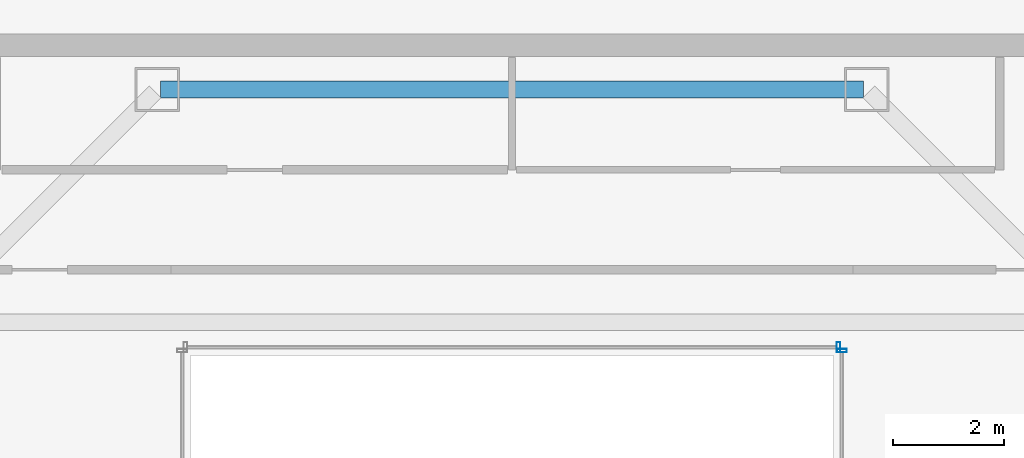
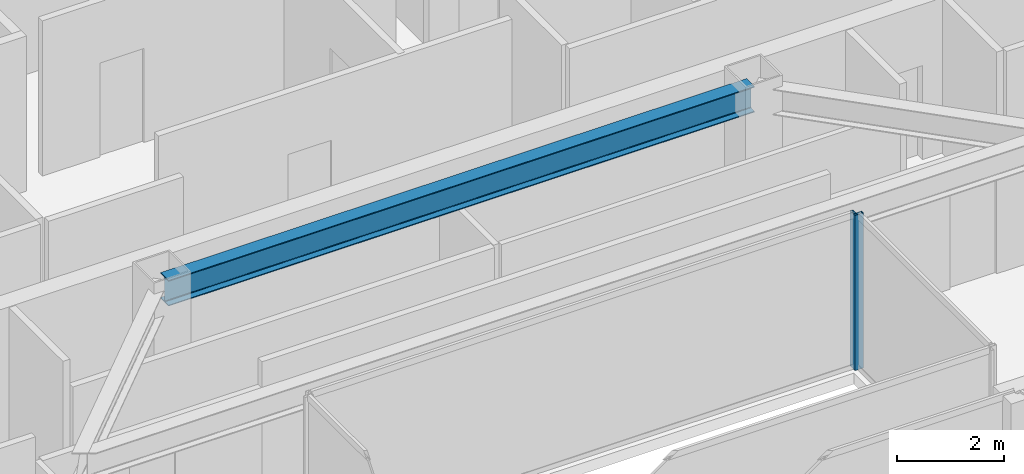
# One storey, part 11 of 33: 2 members, 1 beam, 2 elements without a shape of their own.
"""IFC4 building model written with IfcOpenShell, lengths in metres."""

from ifc_helpers import new_model, si_unit, direction, frame, origin, origin_2d, place, context, subcontext, project, spatial, hollow_rectangle, i_section, extrude, material, material_profile, profile_set, type_object, element, aggregate, save


model = new_model("IFC4")

# Units and contexts
model_context = context("Model", 3, precision=1e-05, world=origin(), true_north=direction((0.0, 1.0)))
body_context = subcontext(model_context, "Body", "Model", "MODEL_VIEW")
ifc_project = project(units=[si_unit("LENGTHUNIT", "METRE"), si_unit("AREAUNIT", "SQUARE_METRE"), si_unit("VOLUMEUNIT", "CUBIC_METRE"), si_unit("PLANEANGLEUNIT", "RADIAN"), si_unit("MASSUNIT", "GRAM", prefix="KILO")], contexts=[model_context])

# Site, building, storey
site_placement = place(None, origin())
site = spatial("IfcSite", under=ifc_project, at=site_placement, CompositionType="ELEMENT")
building_placement = place(site_placement, origin())
building = spatial("IfcBuilding", under=site, at=building_placement, Name="Saevonmaru Cultural Tower", CompositionType="ELEMENT")
storey_placement = place(building_placement, frame((0.0, 0.0, 234.39990234375)))
storey = spatial("IfcBuildingStorey", under=building, at=storey_placement, Name="L54", CompositionType="ELEMENT", Elevation=234.39990234375)

# Beam
ifc_material_1 = material(Name="Steel SM355", Category="steel")
ifc_material_profile_1 = material_profile(ifc_material_1, i_section(OverallWidth=0.300048828125, OverallDepth=0.587890625, WebThickness=0.011962890625, FlangeThickness=0.02001953125, FilletRadius=0.02392578125, at=origin_2d()), Name="H-588x300x12x20")
ifc_profile_set_1 = profile_set([ifc_material_profile_1], Name="Steel SM355")
beam_type = type_object("IfcBeamType", Name="BM-G-H588", PredefinedType="BEAM", material=ifc_profile_set_1)
beam_placement = place(storey_placement, frame((23.659912109375, 42.39990234375, 3.256103515625), z_axis=(1.0, 0.0, 0.0), x_axis=(0.0, 1.0, 0.0)))
element("IfcBeam", 1, at=beam_placement, inside=storey, type_object=beam_type, Name="L54 Core South Girder 3", PredefinedType="BEAM", context=body_context, shape_type="SweptSolid", body=[
    extrude(i_section(OverallWidth=0.300048828125, OverallDepth=0.587890625, WebThickness=0.011962890625, FlangeThickness=0.02001953125, FilletRadius=0.02392578125, at=origin_2d()), origin(), (0.0, 0.0, 1.0), 12.68017578125),
])

# Curtain wall, member
ifc_material_2 = material(Name="Satin Bronze Anodised Aluminium", Category="aluminium")
curtain_wall_type = type_object("IfcCurtainWallType", Name="CW-ATR-GLZ", PredefinedType="NOTDEFINED", material=ifc_material_2)
curtain_wall_1_placement = place(storey_placement, origin())
curtain_wall_1 = element("IfcCurtainWall", 2, at=curtain_wall_1_placement, inside=storey, type_object=curtain_wall_type, Name="L54 Vertical Atrium Glazed Smoke Screen 2", PredefinedType="NOTDEFINED")
ifc_material_profile_2 = material_profile(ifc_material_2, hollow_rectangle(XDim=0.06494140625, YDim=0.179931640625, WallThickness=0.00390625, at=origin_2d()), Name="ALU-MULL-180x65x4")
ifc_profile_set_2 = profile_set([ifc_material_profile_2], Name="Satin Bronze Anodised Aluminium")
member_type = type_object("IfcMemberType", Name="ML-CW-INT-180x65", PredefinedType="MULLION", material=ifc_profile_set_2)
member_1_placement = place(storey_placement, frame((35.949951171875, 37.68994140625, 0.0), z_axis=(0.0, 0.0, 1.0), x_axis=(0.0, 1.0, 0.0)))
member_1 = element("IfcMember", 3, at=member_1_placement, type_object=member_type, Name="CW-ATR-L54-2 mullion 2", PredefinedType="MULLION", context=body_context, shape_type="SweptSolid", body=[
    extrude(hollow_rectangle(XDim=0.06494140625, YDim=0.179931640625, WallThickness=0.00390625, at=origin_2d()), origin(), (0.0, 0.0, 1.0), 3.550048828125),
])
aggregate(curtain_wall_1, [member_1])

curtain_wall_2_placement = place(storey_placement, origin())
curtain_wall_2 = element("IfcCurtainWall", 4, at=curtain_wall_2_placement, inside=storey, type_object=curtain_wall_type, Name="L54 Vertical Atrium Glazed Smoke Screen 3", PredefinedType="NOTDEFINED")
member_2_placement = place(storey_placement, frame((35.889892578125, 37.75, 0.0), z_axis=(0.0, 0.0, 1.0), x_axis=(-1.0, 0.0, 0.0)))
member_2 = element("IfcMember", 5, at=member_2_placement, type_object=member_type, Name="CW-ATR-L54-3 mullion 1", PredefinedType="MULLION", context=body_context, shape_type="SweptSolid", body=[
    extrude(hollow_rectangle(XDim=0.06494140625, YDim=0.179931640625, WallThickness=0.00390625, at=origin_2d()), origin(), (0.0, 0.0, 1.0), 3.550048828125),
])
aggregate(curtain_wall_2, [member_2])

save(model, "model.ifc")
